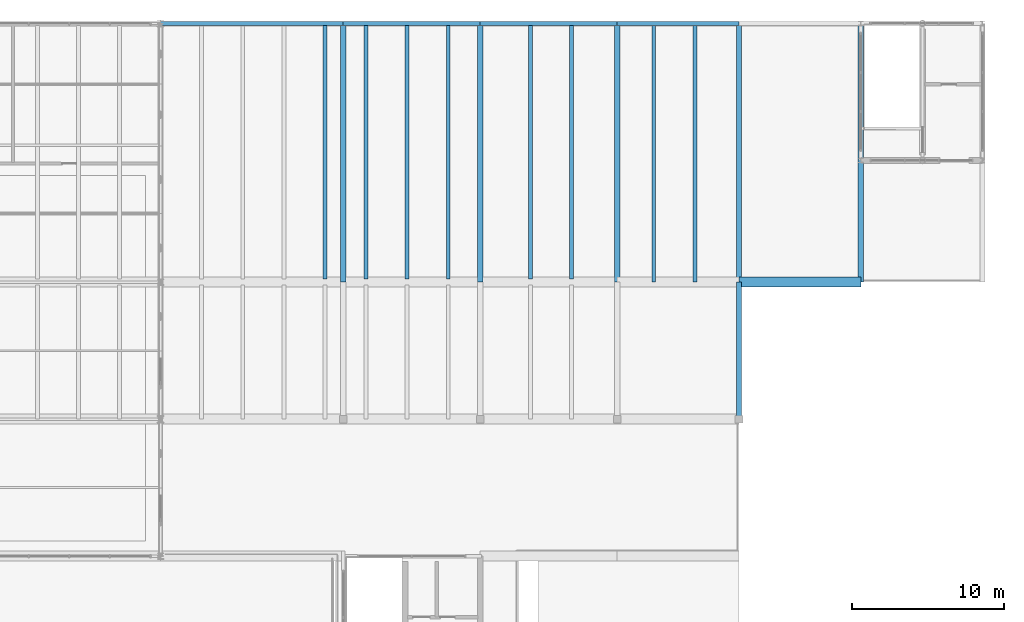
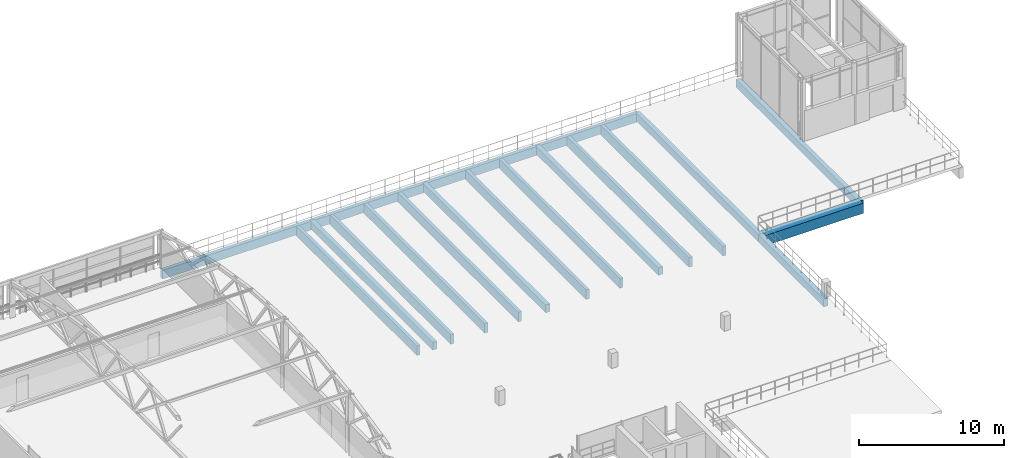
# One storey, part 25 of 50: 19 beams.
"""IFC4 building model written with IfcOpenShell, lengths in metres."""

from ifc_helpers import new_model, si_unit, derived_unit, direction, frame, origin, origin_2d, place, context, subcontext, project, spatial, rectangle, extrude, material, material_profile, profile_set, type_object, element, save


model = new_model("IFC4")

# Units and contexts
model_context = context("Model", 3, precision=1e-05, world=origin(), true_north=direction((0.0, 1.0)))
body_context = subcontext(model_context, "Body", "Model", "MODEL_VIEW")
ifc_project = project(units=[si_unit("LENGTHUNIT", "METRE"), si_unit("AREAUNIT", "SQUARE_METRE"), si_unit("VOLUMEUNIT", "CUBIC_METRE"), si_unit("PLANEANGLEUNIT", "RADIAN"), si_unit("MASSUNIT", "GRAM", prefix="KILO"), si_unit("THERMODYNAMICTEMPERATUREUNIT", "KELVIN"), derived_unit("THERMALTRANSMITTANCEUNIT", [(si_unit("POWERUNIT", "WATT"), 1), (si_unit("AREAUNIT", "SQUARE_METRE"), -1), (si_unit("THERMODYNAMICTEMPERATUREUNIT", "KELVIN"), -1)])], contexts=[model_context])

# Site, building, storey
site_placement = place(None, origin())
site = spatial("IfcSite", under=ifc_project, at=site_placement, CompositionType="ELEMENT")
building_placement = place(site_placement, origin())
building = spatial("IfcBuilding", under=site, at=building_placement, Name="Haiyu Intermodal Mobility Hub", CompositionType="ELEMENT")
storey_placement = place(building_placement, frame((0.0, 0.0, 25.10009765625)))
storey = spatial("IfcBuildingStorey", under=building, at=storey_placement, Name="L06", CompositionType="ELEMENT", Elevation=25.10009765625)

# Beams
ifc_material_1 = material(Name="Concrete C40", Category="concrete")
ifc_material_profile_1 = material_profile(ifc_material_1, rectangle(XDim=0.35009765625, YDim=0.64990234375, at=origin_2d()), Name="RCB350x650")
ifc_profile_set_1 = profile_set([ifc_material_profile_1], Name="Concrete C40")
beam_type_1 = type_object("IfcBeamType", Name="BM-CB04", PredefinedType="BEAM", material=ifc_profile_set_1)
for number, where, z_axis, x_axis, name in (
    (1, (120.0, 131.0, -0.60498046875), (0.0, 1.0, 0.0), (-1.0, 0.0, 0.0), "BM-V4E-L06-008"),
    (2, (129.0, 131.0, -0.60498046875), (0.0, 1.0, 0.0), (-1.0, 0.0, 0.0), "BM-V4E-L06-010"),
    (3, (138.0, 131.0, -0.60498046875), (0.0, 1.0, 0.0), (-1.0, 0.0, 0.0), "BM-V4E-L06-012"),
):
    element("IfcBeam", number, at=place(storey_placement, frame(where, z_axis=z_axis, x_axis=x_axis)), inside=storey, type_object=beam_type_1, Name=name, PredefinedType="BEAM", context=body_context, shape_type="SweptSolid", body=[
        extrude(rectangle(XDim=0.35009765625, YDim=0.64990234375, at=origin_2d()), origin(), (0.0, 0.0, 1.0), 17.0),
    ])
beam_1_placement = place(storey_placement, frame((146.0, 122.0, -0.60498046875), z_axis=(0.0, 1.0, 0.0), x_axis=(-1.0, 0.0, 0.0)))
element("IfcBeam", 4, at=beam_1_placement, inside=storey, type_object=beam_type_1, Name="BM-V4E-L06-013", PredefinedType="BEAM", context=body_context, shape_type="SweptSolid", body=[
    extrude(rectangle(XDim=0.35009765625, YDim=0.64990234375, at=origin_2d()), origin(), (0.0, 0.0, 1.0), 9.0),
])
for number, where, z_axis, x_axis, name in (
    (5, (146.0, 131.0, -0.60498046875), (0.0, 1.0, 0.0), (-1.0, 0.0, 0.0), "BM-V4E-L06-014"),
    (6, (154.0, 131.0, -0.60498046875), (0.0, 1.0, 0.0), (-1.0, 0.0, 0.0), "BM-V4E-L06-015"),
):
    element("IfcBeam", number, at=place(storey_placement, frame(where, z_axis=z_axis, x_axis=x_axis)), inside=storey, type_object=beam_type_1, Name=name, PredefinedType="BEAM", context=body_context, shape_type="SweptSolid", body=[
        extrude(rectangle(XDim=0.35009765625, YDim=0.64990234375, at=origin_2d()), origin(), (0.0, 0.0, 1.0), 17.0),
    ])
ifc_material_2 = material(Name="Precast concrete C50", Category="concrete")
ifc_material_profile_2 = material_profile(ifc_material_2, rectangle(XDim=0.260009765625, YDim=0.820068359375, at=origin_2d()), Name="PC260x820")
ifc_profile_set_2 = profile_set([ifc_material_profile_2], Name="Precast concrete C50")
beam_type_2 = type_object("IfcBeamType", Name="BM-DT04", PredefinedType="JOIST", material=ifc_profile_set_2)
for number, where, z_axis, x_axis, name in (
    (7, (118.800048828125, 131.195068359375, -0.690185546875), (0.0, 1.0, 0.0), (-1.0, 0.0, 0.0), "BM-DT-L06-020"),
    (8, (121.5, 131.195068359375, -0.690185546875), (0.0, 1.0, 0.0), (-1.0, 0.0, 0.0), "BM-DT-L06-022"),
    (9, (124.199951171875, 131.195068359375, -0.690185546875), (0.0, 1.0, 0.0), (-1.0, 0.0, 0.0), "BM-DT-L06-024"),
    (10, (126.89990234375, 131.195068359375, -0.690185546875), (0.0, 1.0, 0.0), (-1.0, 0.0, 0.0), "BM-DT-L06-026"),
    (11, (132.300048828125, 131.195068359375, -0.690185546875), (0.0, 1.0, 0.0), (-1.0, 0.0, 0.0), "BM-DT-L06-028"),
    (12, (135.0, 131.195068359375, -0.690185546875), (0.0, 1.0, 0.0), (-1.0, 0.0, 0.0), "BM-DT-L06-030"),
):
    element("IfcBeam", number, at=place(storey_placement, frame(where, z_axis=z_axis, x_axis=x_axis)), inside=storey, type_object=beam_type_2, Name=name, PredefinedType="JOIST", context=body_context, shape_type="SweptSolid", body=[
        extrude(rectangle(XDim=0.260009765625, YDim=0.820068359375, at=origin_2d()), origin(), (0.0, 0.0, 1.0), 16.804931640625),
    ])
for number, where, z_axis, x_axis, name in (
    (13, (140.39990234375, 131.0, -0.690185546875), (0.0, 1.0, 0.0), (-1.0, 0.0, 0.0), "BM-DT-L06-031"),
    (14, (143.10009765625, 131.0, -0.690185546875), (0.0, 1.0, 0.0), (-1.0, 0.0, 0.0), "BM-DT-L06-032"),
):
    element("IfcBeam", number, at=place(storey_placement, frame(where, z_axis=z_axis, x_axis=x_axis)), inside=storey, type_object=beam_type_2, Name=name, PredefinedType="JOIST", context=body_context, shape_type="SweptSolid", body=[
        extrude(rectangle(XDim=0.260009765625, YDim=0.820068359375, at=origin_2d()), origin(), (0.0, 0.0, 1.0), 17.0),
    ])
ifc_material_profile_3 = material_profile(ifc_material_2, rectangle(XDim=0.64990234375, YDim=0.85009765625, at=origin_2d()), Name="PC650x850")
ifc_profile_set_3 = profile_set([ifc_material_profile_3], Name="Precast concrete C50")
beam_type_3 = type_object("IfcBeamType", Name="BM-IT03", PredefinedType="T_BEAM", material=ifc_profile_set_3)
beam_2_placement = place(storey_placement, frame((146.0, 131.0, -0.705078125), z_axis=(1.0, 0.0, 0.0), x_axis=(0.0, 1.0, 0.0)))
element("IfcBeam", 15, at=beam_2_placement, inside=storey, type_object=beam_type_3, Name="BM-V4G-L06-040", PredefinedType="T_BEAM", context=body_context, shape_type="SweptSolid", body=[
    extrude(rectangle(XDim=0.64990234375, YDim=0.85009765625, at=origin_2d()), origin(), (0.0, 0.0, 1.0), 8.0),
])
ifc_material_3 = material(Name="Precast concrete C40", Category="concrete")
ifc_material_profile_4 = material_profile(ifc_material_3, rectangle(XDim=0.280029296875, YDim=0.739990234375, at=origin_2d()), Name="B280x740")
ifc_profile_set_4 = profile_set([ifc_material_profile_4], Name="Precast concrete C40")
beam_type_4 = type_object("IfcBeamType", Name="BM-SP05", PredefinedType="SPANDREL", material=ifc_profile_set_4)
beam_3_placement = place(storey_placement, frame((108.0, 148.0, -0.650146484375), z_axis=(1.0, 0.0, 0.0), x_axis=(0.0, 1.0, 0.0)))
element("IfcBeam", 16, at=beam_3_placement, inside=storey, type_object=beam_type_4, Name="BM-V4G-L06-051", PredefinedType="SPANDREL", context=body_context, shape_type="SweptSolid", body=[
    extrude(rectangle(XDim=0.280029296875, YDim=0.739990234375, at=origin_2d()), origin(), (0.0, 0.0, 1.0), 12.0),
])
for number, where, z_axis, x_axis, name in (
    (17, (120.0, 148.0, -0.650146484375), (1.0, 0.0, 0.0), (0.0, 1.0, 0.0), "BM-V4G-L06-052"),
    (18, (129.0, 148.0, -0.650146484375), (1.0, 0.0, 0.0), (0.0, 1.0, 0.0), "BM-V4G-L06-053"),
):
    element("IfcBeam", number, at=place(storey_placement, frame(where, z_axis=z_axis, x_axis=x_axis)), inside=storey, type_object=beam_type_4, Name=name, PredefinedType="SPANDREL", context=body_context, shape_type="SweptSolid", body=[
        extrude(rectangle(XDim=0.280029296875, YDim=0.739990234375, at=origin_2d()), origin(), (0.0, 0.0, 1.0), 9.0),
    ])
beam_4_placement = place(storey_placement, frame((138.0, 148.0, -0.650146484375), z_axis=(1.0, 0.0, 0.0), x_axis=(0.0, 1.0, 0.0)))
element("IfcBeam", 19, at=beam_4_placement, inside=storey, type_object=beam_type_4, Name="BM-V4G-L06-054", PredefinedType="SPANDREL", context=body_context, shape_type="SweptSolid", body=[
    extrude(rectangle(XDim=0.280029296875, YDim=0.739990234375, at=origin_2d()), origin(), (0.0, 0.0, 1.0), 8.0),
])

save(model, "model.ifc")
